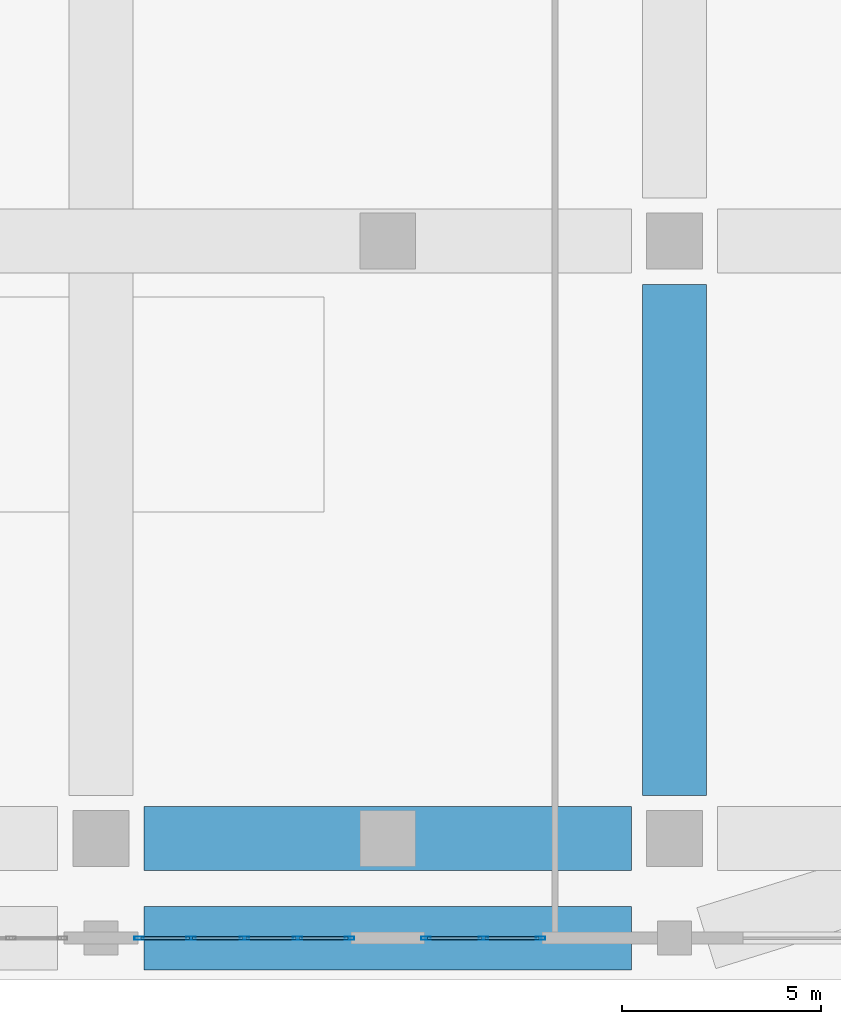
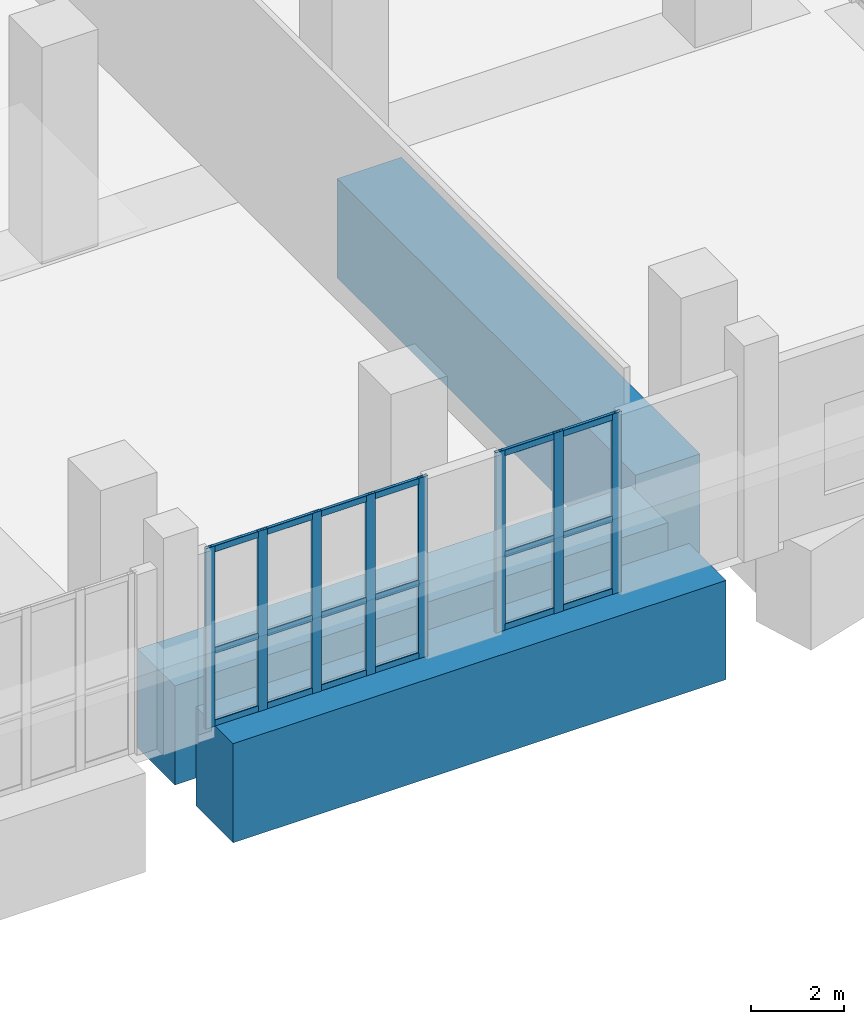
# One storey, part 11 of 25: 26 members, 3 beams, 2 elements without a shape of their own.
"""IFC4 building model written with IfcOpenShell, lengths in metres."""

from ifc_helpers import new_model, si_unit, direction, frame, origin, origin_2d, place, context, subcontext, project, spatial, rectangle, hollow_rectangle, extrude, material, layer, layer_set, material_profile, profile_set, type_object, element, aggregate, save


model = new_model("IFC4")

# Units and contexts
model_context = context("Model", 3, precision=1e-05, world=origin(), true_north=direction((0.0, 1.0)))
body_context = subcontext(model_context, "Body", "Model", "MODEL_VIEW")
ifc_project = project(units=[si_unit("LENGTHUNIT", "METRE"), si_unit("AREAUNIT", "SQUARE_METRE"), si_unit("VOLUMEUNIT", "CUBIC_METRE"), si_unit("PLANEANGLEUNIT", "RADIAN"), si_unit("MASSUNIT", "GRAM", prefix="KILO")], contexts=[model_context])

# Site, building, storey
site_placement = place(None, origin())
site = spatial("IfcSite", under=ifc_project, at=site_placement, CompositionType="ELEMENT")
building_placement = place(site_placement, origin())
building = spatial("IfcBuilding", under=site, at=building_placement, Name="Kaelvorn Grand Hotel", CompositionType="ELEMENT")
storey_placement = place(building_placement, frame((0.0, 0.0, 8.0)))
storey = spatial("IfcBuildingStorey", under=building, at=storey_placement, Name="L01", CompositionType="ELEMENT", Elevation=8.0)

# Beams
ifc_material_1 = material(Name="Concrete C80/95", Category="concrete")
ifc_material_profile_1 = material_profile(ifc_material_1, rectangle(XDim=1.60009765625, YDim=2.60009765625, at=origin_2d()), Name="RC TG 1600x2600")
ifc_profile_set_1 = profile_set([ifc_material_profile_1], Name="Concrete C80/95")
beam_type = type_object("IfcBeamType", Name="BM-TG-1600x2600-C80", PredefinedType="USERDEFINED", material=ifc_profile_set_1)
for number, where, z_axis, x_axis, name in (
    (1, (61.68505859375, -2.5, -1.300048828125), (1.0, 0.0, 0.0), (0.0, 1.0, 0.0), "L01 Pilotis Transfer Girder TGX-S2 05"),
    (2, (61.68505859375, 0.0, -1.300048828125), (1.0, 0.0, 0.0), (0.0, 1.0, 0.0), "L01 Pilotis Transfer Girder TGX-S0 06"),
):
    element("IfcBeam", number, at=place(storey_placement, frame(where, z_axis=z_axis, x_axis=x_axis)), inside=storey, type_object=beam_type, Name=name, ObjectType="TRANSFER GIRDER", PredefinedType="USERDEFINED", context=body_context, shape_type="SweptSolid", body=[
        extrude(rectangle(XDim=1.60009765625, YDim=2.60009765625, at=origin_2d()), origin(), (0.0, 0.0, 1.0), 12.22998046875),
    ])
beam_placement = place(storey_placement, frame((75.0, 1.0849609375, -1.300048828125), z_axis=(0.0, 1.0, 0.0), x_axis=(-1.0, 0.0, 0.0)))
element("IfcBeam", 3, at=beam_placement, inside=storey, type_object=beam_type, Name="L01 Pilotis Transfer Girder TGY-X75 01", ObjectType="TRANSFER GIRDER", PredefinedType="USERDEFINED", context=body_context, shape_type="SweptSolid", body=[
    extrude(rectangle(XDim=1.60009765625, YDim=2.60009765625, at=origin_2d()), origin(), (0.0, 0.0, 1.0), 12.830078125),
])

# Curtain wall, members
ifc_material_2 = material(Name="Anodised Aluminium", Category="aluminium")
ifc_layer = layer(ifc_material_2, 0.239990234375)
ifc_layer_set = layer_set([ifc_layer], Name="Anodised Aluminium")
curtain_wall_type = type_object("IfcCurtainWallType", Name="CW-SYS1", PredefinedType="NOTDEFINED", material=ifc_layer_set)
curtain_wall_1_placement = place(storey_placement, origin())
curtain_wall_1 = element("IfcCurtainWall", 4, at=curtain_wall_1_placement, inside=storey, type_object=curtain_wall_type, Name="L01 Unitised Curtain Wall CW1 (CW-L01-S-08)", PredefinedType="NOTDEFINED")
ifc_material_profile_2 = material_profile(ifc_material_2, hollow_rectangle(XDim=0.080078125, YDim=0.239990234375, WallThickness=0.0048828125, InnerFilletRadius=0.0048828125, OuterFilletRadius=0.010009765625, at=origin_2d()), Name="ALU MULL 80x240")
ifc_profile_set_2 = profile_set([ifc_material_profile_2], Name="Anodised Aluminium")
member_type_1 = type_object("IfcMemberType", Name="CW-SYS1-MULL", PredefinedType="MULLION", material=ifc_profile_set_2)
member_1_placement = place(storey_placement, frame((61.56005859375, -2.5, 0.0), z_axis=(0.0, 0.0, 1.0), x_axis=(0.0, 1.0, 0.0)))
member_1 = element("IfcMember", 5, at=member_1_placement, type_object=member_type_1, Name="CW1 mullion 1", PredefinedType="MULLION", context=body_context, shape_type="SweptSolid", body=[
    extrude(hollow_rectangle(XDim=0.080078125, YDim=0.239990234375, WallThickness=0.0048828125, InnerFilletRadius=0.0048828125, OuterFilletRadius=0.010009765625, at=origin_2d()), origin(), (0.0, 0.0, 1.0), 4.72998046875),
])
member_2_placement = place(storey_placement, frame((62.860107421875, -2.5, 0.0), z_axis=(0.0, 0.0, 1.0), x_axis=(0.0, 1.0, 0.0)))
member_2 = element("IfcMember", 6, at=member_2_placement, type_object=member_type_1, Name="CW1 mullion 2", PredefinedType="MULLION", context=body_context, shape_type="SweptSolid", body=[
    extrude(hollow_rectangle(XDim=0.080078125, YDim=0.239990234375, WallThickness=0.0048828125, InnerFilletRadius=0.0048828125, OuterFilletRadius=0.010009765625, at=origin_2d()), origin(), (0.0, 0.0, 1.0), 4.72998046875),
])
member_3_placement = place(storey_placement, frame((64.199951171875, -2.5, 0.0), z_axis=(0.0, 0.0, 1.0), x_axis=(0.0, 1.0, 0.0)))
member_3 = element("IfcMember", 7, at=member_3_placement, type_object=member_type_1, Name="CW1 mullion 3", PredefinedType="MULLION", context=body_context, shape_type="SweptSolid", body=[
    extrude(hollow_rectangle(XDim=0.080078125, YDim=0.239990234375, WallThickness=0.0048828125, InnerFilletRadius=0.0048828125, OuterFilletRadius=0.010009765625, at=origin_2d()), origin(), (0.0, 0.0, 1.0), 4.72998046875),
])
member_4_placement = place(storey_placement, frame((65.5400390625, -2.5, 0.0), z_axis=(0.0, 0.0, 1.0), x_axis=(0.0, 1.0, 0.0)))
member_4 = element("IfcMember", 8, at=member_4_placement, type_object=member_type_1, Name="CW1 mullion 4", PredefinedType="MULLION", context=body_context, shape_type="SweptSolid", body=[
    extrude(hollow_rectangle(XDim=0.080078125, YDim=0.239990234375, WallThickness=0.0048828125, InnerFilletRadius=0.0048828125, OuterFilletRadius=0.010009765625, at=origin_2d()), origin(), (0.0, 0.0, 1.0), 4.72998046875),
])
member_5_placement = place(storey_placement, frame((66.840087890625, -2.5, 0.0), z_axis=(0.0, 0.0, 1.0), x_axis=(0.0, 1.0, 0.0)))
member_5 = element("IfcMember", 9, at=member_5_placement, type_object=member_type_1, Name="CW1 mullion 5", PredefinedType="MULLION", context=body_context, shape_type="SweptSolid", body=[
    extrude(hollow_rectangle(XDim=0.080078125, YDim=0.239990234375, WallThickness=0.0048828125, InnerFilletRadius=0.0048828125, OuterFilletRadius=0.010009765625, at=origin_2d()), origin(), (0.0, 0.0, 1.0), 4.72998046875),
])

curtain_wall_2_placement = place(storey_placement, origin())
curtain_wall_2 = element("IfcCurtainWall", 10, at=curtain_wall_2_placement, inside=storey, type_object=curtain_wall_type, Name="L01 Unitised Curtain Wall CW1 (CW-L01-S-09)", PredefinedType="NOTDEFINED")
member_6_placement = place(storey_placement, frame((68.760009765625, -2.5, 0.0), z_axis=(0.0, 0.0, 1.0), x_axis=(0.0, 1.0, 0.0)))
member_6 = element("IfcMember", 11, at=member_6_placement, type_object=member_type_1, Name="CW1 mullion 1", PredefinedType="MULLION", context=body_context, shape_type="SweptSolid", body=[
    extrude(hollow_rectangle(XDim=0.080078125, YDim=0.239990234375, WallThickness=0.0048828125, InnerFilletRadius=0.0048828125, OuterFilletRadius=0.010009765625, at=origin_2d()), origin(), (0.0, 0.0, 1.0), 4.72998046875),
])
member_7_placement = place(storey_placement, frame((70.199951171875, -2.5, 0.0), z_axis=(0.0, 0.0, 1.0), x_axis=(0.0, 1.0, 0.0)))
member_7 = element("IfcMember", 12, at=member_7_placement, type_object=member_type_1, Name="CW1 mullion 2", PredefinedType="MULLION", context=body_context, shape_type="SweptSolid", body=[
    extrude(hollow_rectangle(XDim=0.080078125, YDim=0.239990234375, WallThickness=0.0048828125, InnerFilletRadius=0.0048828125, OuterFilletRadius=0.010009765625, at=origin_2d()), origin(), (0.0, 0.0, 1.0), 4.72998046875),
])
member_8_placement = place(storey_placement, frame((71.639892578125, -2.5, 0.0), z_axis=(0.0, 0.0, 1.0), x_axis=(0.0, 1.0, 0.0)))
member_8 = element("IfcMember", 13, at=member_8_placement, type_object=member_type_1, Name="CW1 mullion 3", PredefinedType="MULLION", context=body_context, shape_type="SweptSolid", body=[
    extrude(hollow_rectangle(XDim=0.080078125, YDim=0.239990234375, WallThickness=0.0048828125, InnerFilletRadius=0.0048828125, OuterFilletRadius=0.010009765625, at=origin_2d()), origin(), (0.0, 0.0, 1.0), 4.72998046875),
])

# Member
ifc_material_profile_3 = material_profile(ifc_material_2, hollow_rectangle(XDim=0.080078125, YDim=0.1650390625, WallThickness=0.00439453125, InnerFilletRadius=0.00439453125, OuterFilletRadius=0.009033203125, at=origin_2d()), Name="ALU TRAN 80x165")
ifc_profile_set_3 = profile_set([ifc_material_profile_3], Name="Anodised Aluminium")
member_type_2 = type_object("IfcMemberType", Name="CW-SYS1-TRAN", PredefinedType="NOTDEFINED", material=ifc_profile_set_3)
member_9_placement = place(storey_placement, frame((61.60009765625, -2.5, 0.08251953125), z_axis=(1.0, 0.0, 0.0), x_axis=(0.0, 1.0, 0.0)))
member_9 = element("IfcMember", 14, at=member_9_placement, type_object=member_type_2, Name="CW1 transom 1.1", ObjectType="TRANSOM", PredefinedType="USERDEFINED", context=body_context, shape_type="SweptSolid", body=[
    extrude(hollow_rectangle(XDim=0.080078125, YDim=0.1650390625, WallThickness=0.00439453125, InnerFilletRadius=0.00439453125, OuterFilletRadius=0.009033203125, at=origin_2d()), origin(), (0.0, 0.0, 1.0), 1.219970703125),
])

member_10_placement = place(storey_placement, frame((61.60009765625, -2.5, 1.986572265625), z_axis=(1.0, 0.0, 0.0), x_axis=(0.0, 1.0, 0.0)))
member_10 = element("IfcMember", 15, at=member_10_placement, type_object=member_type_2, Name="CW1 transom 1.2", ObjectType="TRANSOM", PredefinedType="USERDEFINED", context=body_context, shape_type="SweptSolid", body=[
    extrude(hollow_rectangle(XDim=0.080078125, YDim=0.1650390625, WallThickness=0.00439453125, InnerFilletRadius=0.00439453125, OuterFilletRadius=0.009033203125, at=origin_2d()), origin(), (0.0, 0.0, 1.0), 1.219970703125),
])

member_11_placement = place(storey_placement, frame((61.60009765625, -2.5, 4.6474609375), z_axis=(1.0, 0.0, 0.0), x_axis=(0.0, 1.0, 0.0)))
member_11 = element("IfcMember", 16, at=member_11_placement, type_object=member_type_2, Name="CW1 transom 1.3", ObjectType="TRANSOM", PredefinedType="USERDEFINED", context=body_context, shape_type="SweptSolid", body=[
    extrude(hollow_rectangle(XDim=0.080078125, YDim=0.1650390625, WallThickness=0.00439453125, InnerFilletRadius=0.00439453125, OuterFilletRadius=0.009033203125, at=origin_2d()), origin(), (0.0, 0.0, 1.0), 1.219970703125),
])

member_12_placement = place(storey_placement, frame((62.89990234375, -2.5, 0.08251953125), z_axis=(1.0, 0.0, 0.0), x_axis=(0.0, 1.0, 0.0)))
member_12 = element("IfcMember", 17, at=member_12_placement, type_object=member_type_2, Name="CW1 transom 2.1", ObjectType="TRANSOM", PredefinedType="USERDEFINED", context=body_context, shape_type="SweptSolid", body=[
    extrude(hollow_rectangle(XDim=0.080078125, YDim=0.1650390625, WallThickness=0.00439453125, InnerFilletRadius=0.00439453125, OuterFilletRadius=0.009033203125, at=origin_2d()), origin(), (0.0, 0.0, 1.0), 1.260009765625),
])

member_13_placement = place(storey_placement, frame((62.89990234375, -2.5, 1.986572265625), z_axis=(1.0, 0.0, 0.0), x_axis=(0.0, 1.0, 0.0)))
member_13 = element("IfcMember", 18, at=member_13_placement, type_object=member_type_2, Name="CW1 transom 2.2", ObjectType="TRANSOM", PredefinedType="USERDEFINED", context=body_context, shape_type="SweptSolid", body=[
    extrude(hollow_rectangle(XDim=0.080078125, YDim=0.1650390625, WallThickness=0.00439453125, InnerFilletRadius=0.00439453125, OuterFilletRadius=0.009033203125, at=origin_2d()), origin(), (0.0, 0.0, 1.0), 1.260009765625),
])

member_14_placement = place(storey_placement, frame((62.89990234375, -2.5, 4.6474609375), z_axis=(1.0, 0.0, 0.0), x_axis=(0.0, 1.0, 0.0)))
member_14 = element("IfcMember", 19, at=member_14_placement, type_object=member_type_2, Name="CW1 transom 2.3", ObjectType="TRANSOM", PredefinedType="USERDEFINED", context=body_context, shape_type="SweptSolid", body=[
    extrude(hollow_rectangle(XDim=0.080078125, YDim=0.1650390625, WallThickness=0.00439453125, InnerFilletRadius=0.00439453125, OuterFilletRadius=0.009033203125, at=origin_2d()), origin(), (0.0, 0.0, 1.0), 1.260009765625),
])

member_15_placement = place(storey_placement, frame((64.239990234375, -2.5, 0.08251953125), z_axis=(1.0, 0.0, 0.0), x_axis=(0.0, 1.0, 0.0)))
member_15 = element("IfcMember", 20, at=member_15_placement, type_object=member_type_2, Name="CW1 transom 3.1", ObjectType="TRANSOM", PredefinedType="USERDEFINED", context=body_context, shape_type="SweptSolid", body=[
    extrude(hollow_rectangle(XDim=0.080078125, YDim=0.1650390625, WallThickness=0.00439453125, InnerFilletRadius=0.00439453125, OuterFilletRadius=0.009033203125, at=origin_2d()), origin(), (0.0, 0.0, 1.0), 1.260009765625),
])

member_16_placement = place(storey_placement, frame((64.239990234375, -2.5, 1.986572265625), z_axis=(1.0, 0.0, 0.0), x_axis=(0.0, 1.0, 0.0)))
member_16 = element("IfcMember", 21, at=member_16_placement, type_object=member_type_2, Name="CW1 transom 3.2", ObjectType="TRANSOM", PredefinedType="USERDEFINED", context=body_context, shape_type="SweptSolid", body=[
    extrude(hollow_rectangle(XDim=0.080078125, YDim=0.1650390625, WallThickness=0.00439453125, InnerFilletRadius=0.00439453125, OuterFilletRadius=0.009033203125, at=origin_2d()), origin(), (0.0, 0.0, 1.0), 1.260009765625),
])

member_17_placement = place(storey_placement, frame((64.239990234375, -2.5, 4.6474609375), z_axis=(1.0, 0.0, 0.0), x_axis=(0.0, 1.0, 0.0)))
member_17 = element("IfcMember", 22, at=member_17_placement, type_object=member_type_2, Name="CW1 transom 3.3", ObjectType="TRANSOM", PredefinedType="USERDEFINED", context=body_context, shape_type="SweptSolid", body=[
    extrude(hollow_rectangle(XDim=0.080078125, YDim=0.1650390625, WallThickness=0.00439453125, InnerFilletRadius=0.00439453125, OuterFilletRadius=0.009033203125, at=origin_2d()), origin(), (0.0, 0.0, 1.0), 1.260009765625),
])

member_18_placement = place(storey_placement, frame((65.580078125, -2.5, 0.08251953125), z_axis=(1.0, 0.0, 0.0), x_axis=(0.0, 1.0, 0.0)))
member_18 = element("IfcMember", 23, at=member_18_placement, type_object=member_type_2, Name="CW1 transom 4.1", ObjectType="TRANSOM", PredefinedType="USERDEFINED", context=body_context, shape_type="SweptSolid", body=[
    extrude(hollow_rectangle(XDim=0.080078125, YDim=0.1650390625, WallThickness=0.00439453125, InnerFilletRadius=0.00439453125, OuterFilletRadius=0.009033203125, at=origin_2d()), origin(), (0.0, 0.0, 1.0), 1.219970703125),
])

member_19_placement = place(storey_placement, frame((65.580078125, -2.5, 1.986572265625), z_axis=(1.0, 0.0, 0.0), x_axis=(0.0, 1.0, 0.0)))
member_19 = element("IfcMember", 24, at=member_19_placement, type_object=member_type_2, Name="CW1 transom 4.2", ObjectType="TRANSOM", PredefinedType="USERDEFINED", context=body_context, shape_type="SweptSolid", body=[
    extrude(hollow_rectangle(XDim=0.080078125, YDim=0.1650390625, WallThickness=0.00439453125, InnerFilletRadius=0.00439453125, OuterFilletRadius=0.009033203125, at=origin_2d()), origin(), (0.0, 0.0, 1.0), 1.219970703125),
])

member_20_placement = place(storey_placement, frame((65.580078125, -2.5, 4.6474609375), z_axis=(1.0, 0.0, 0.0), x_axis=(0.0, 1.0, 0.0)))
member_20 = element("IfcMember", 25, at=member_20_placement, type_object=member_type_2, Name="CW1 transom 4.3", ObjectType="TRANSOM", PredefinedType="USERDEFINED", context=body_context, shape_type="SweptSolid", body=[
    extrude(hollow_rectangle(XDim=0.080078125, YDim=0.1650390625, WallThickness=0.00439453125, InnerFilletRadius=0.00439453125, OuterFilletRadius=0.009033203125, at=origin_2d()), origin(), (0.0, 0.0, 1.0), 1.219970703125),
])

aggregate(curtain_wall_1, [member_1, member_2, member_3, member_4, member_5, member_9, member_10, member_11, member_12, member_13, member_14, member_15, member_16, member_17, member_18, member_19, member_20])

member_21_placement = place(storey_placement, frame((68.800048828125, -2.5, 0.08251953125), z_axis=(1.0, 0.0, 0.0), x_axis=(0.0, 1.0, 0.0)))
member_21 = element("IfcMember", 26, at=member_21_placement, type_object=member_type_2, Name="CW1 transom 1.1", ObjectType="TRANSOM", PredefinedType="USERDEFINED", context=body_context, shape_type="SweptSolid", body=[
    extrude(hollow_rectangle(XDim=0.080078125, YDim=0.1650390625, WallThickness=0.00439453125, InnerFilletRadius=0.00439453125, OuterFilletRadius=0.009033203125, at=origin_2d()), origin(), (0.0, 0.0, 1.0), 1.35986328125),
])

member_22_placement = place(storey_placement, frame((68.800048828125, -2.5, 1.986572265625), z_axis=(1.0, 0.0, 0.0), x_axis=(0.0, 1.0, 0.0)))
member_22 = element("IfcMember", 27, at=member_22_placement, type_object=member_type_2, Name="CW1 transom 1.2", ObjectType="TRANSOM", PredefinedType="USERDEFINED", context=body_context, shape_type="SweptSolid", body=[
    extrude(hollow_rectangle(XDim=0.080078125, YDim=0.1650390625, WallThickness=0.00439453125, InnerFilletRadius=0.00439453125, OuterFilletRadius=0.009033203125, at=origin_2d()), origin(), (0.0, 0.0, 1.0), 1.35986328125),
])

member_23_placement = place(storey_placement, frame((68.800048828125, -2.5, 4.6474609375), z_axis=(1.0, 0.0, 0.0), x_axis=(0.0, 1.0, 0.0)))
member_23 = element("IfcMember", 28, at=member_23_placement, type_object=member_type_2, Name="CW1 transom 1.3", ObjectType="TRANSOM", PredefinedType="USERDEFINED", context=body_context, shape_type="SweptSolid", body=[
    extrude(hollow_rectangle(XDim=0.080078125, YDim=0.1650390625, WallThickness=0.00439453125, InnerFilletRadius=0.00439453125, OuterFilletRadius=0.009033203125, at=origin_2d()), origin(), (0.0, 0.0, 1.0), 1.35986328125),
])

member_24_placement = place(storey_placement, frame((70.239990234375, -2.5, 0.08251953125), z_axis=(1.0, 0.0, 0.0), x_axis=(0.0, 1.0, 0.0)))
member_24 = element("IfcMember", 29, at=member_24_placement, type_object=member_type_2, Name="CW1 transom 2.1", ObjectType="TRANSOM", PredefinedType="USERDEFINED", context=body_context, shape_type="SweptSolid", body=[
    extrude(hollow_rectangle(XDim=0.080078125, YDim=0.1650390625, WallThickness=0.00439453125, InnerFilletRadius=0.00439453125, OuterFilletRadius=0.009033203125, at=origin_2d()), origin(), (0.0, 0.0, 1.0), 1.360107421875),
])

member_25_placement = place(storey_placement, frame((70.239990234375, -2.5, 1.986572265625), z_axis=(1.0, 0.0, 0.0), x_axis=(0.0, 1.0, 0.0)))
member_25 = element("IfcMember", 30, at=member_25_placement, type_object=member_type_2, Name="CW1 transom 2.2", ObjectType="TRANSOM", PredefinedType="USERDEFINED", context=body_context, shape_type="SweptSolid", body=[
    extrude(hollow_rectangle(XDim=0.080078125, YDim=0.1650390625, WallThickness=0.00439453125, InnerFilletRadius=0.00439453125, OuterFilletRadius=0.009033203125, at=origin_2d()), origin(), (0.0, 0.0, 1.0), 1.360107421875),
])

member_26_placement = place(storey_placement, frame((70.239990234375, -2.5, 4.6474609375), z_axis=(1.0, 0.0, 0.0), x_axis=(0.0, 1.0, 0.0)))
member_26 = element("IfcMember", 31, at=member_26_placement, type_object=member_type_2, Name="CW1 transom 2.3", ObjectType="TRANSOM", PredefinedType="USERDEFINED", context=body_context, shape_type="SweptSolid", body=[
    extrude(hollow_rectangle(XDim=0.080078125, YDim=0.1650390625, WallThickness=0.00439453125, InnerFilletRadius=0.00439453125, OuterFilletRadius=0.009033203125, at=origin_2d()), origin(), (0.0, 0.0, 1.0), 1.360107421875),
])

aggregate(curtain_wall_2, [member_6, member_7, member_8, member_21, member_22, member_23, member_24, member_25, member_26])

save(model, "model.ifc")
